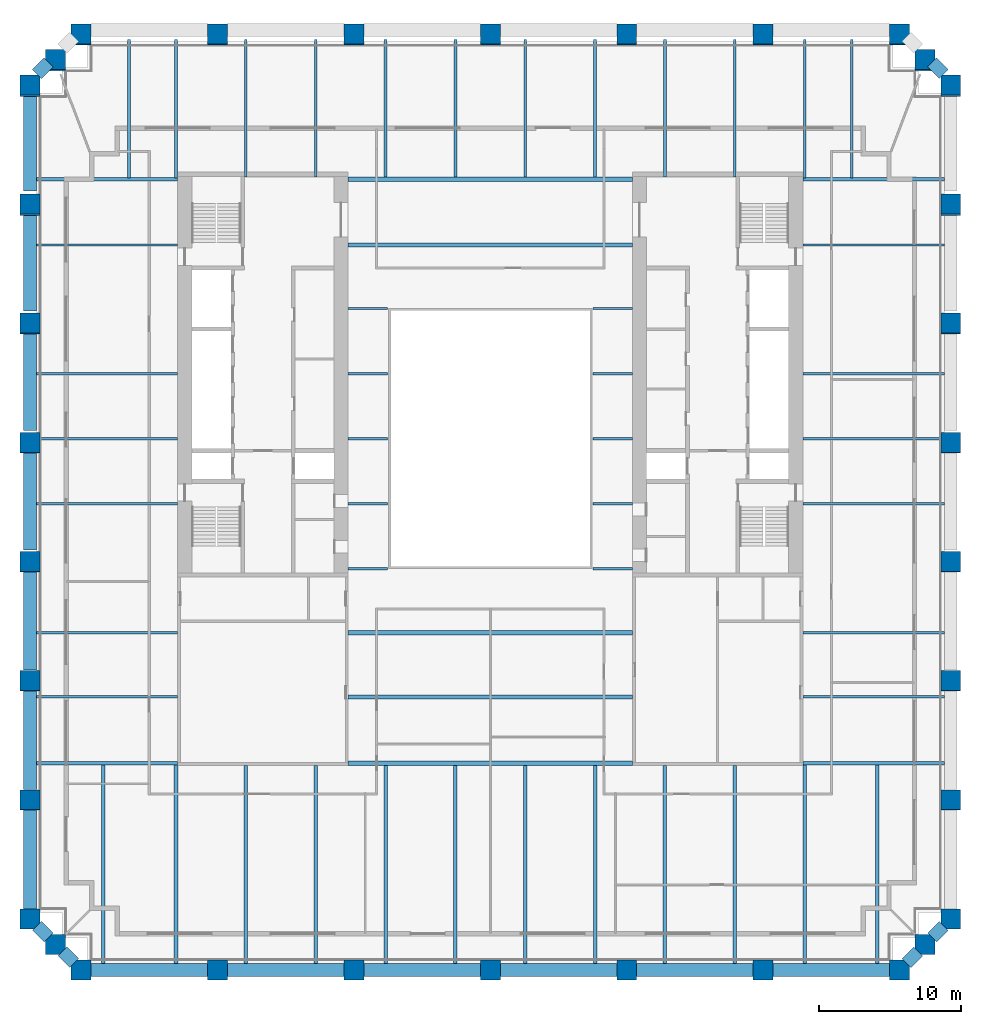
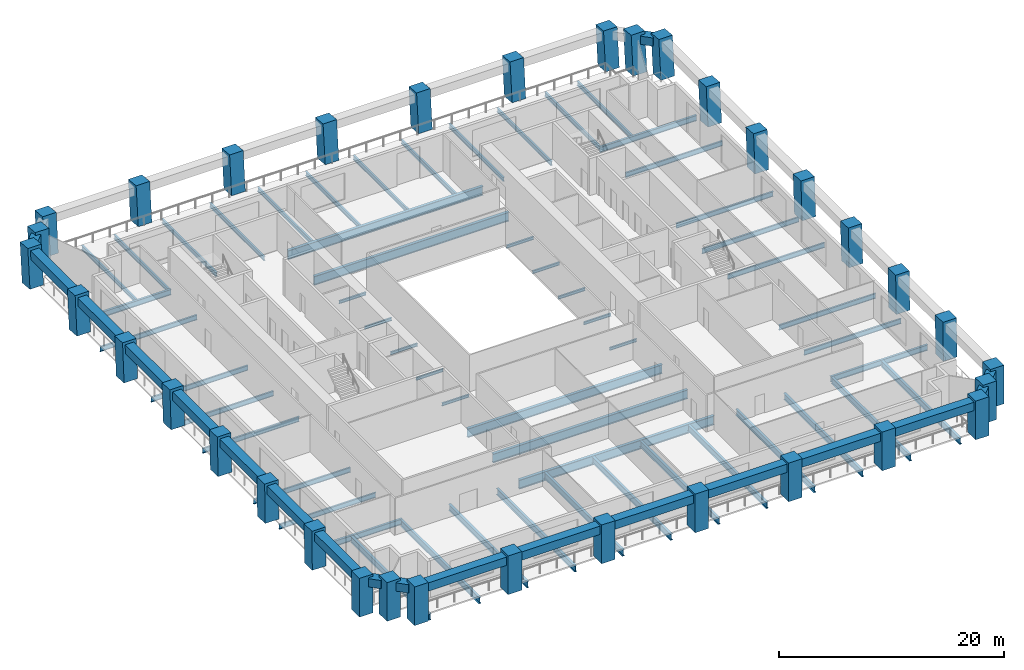
# One storey, part 1 of 8: 74 beams, 34 columns.
"""IFC4 building model written with IfcOpenShell, lengths in metres."""

from ifc_helpers import new_model, si_unit, direction, frame, origin, origin_2d, place, context, subcontext, project, spatial, rectangle, i_section, extrude, material, material_profile, profile_set, type_object, element, save


model = new_model("IFC4")

# Units and contexts
model_context = context("Model", 3, precision=1e-05, world=origin(), true_north=direction((0.0, 1.0)))
body_context = subcontext(model_context, "Body", "Model", "MODEL_VIEW")
ifc_project = project(units=[si_unit("LENGTHUNIT", "METRE"), si_unit("AREAUNIT", "SQUARE_METRE"), si_unit("VOLUMEUNIT", "CUBIC_METRE"), si_unit("PLANEANGLEUNIT", "RADIAN"), si_unit("MASSUNIT", "GRAM", prefix="KILO")], contexts=[model_context])

# Site, building, storey
site_placement = place(None, origin())
site = spatial("IfcSite", under=ifc_project, at=site_placement, CompositionType="ELEMENT")
building_placement = place(site_placement, origin())
building = spatial("IfcBuilding", under=site, at=building_placement, Name="Ogive Exchange Tower", CompositionType="ELEMENT")
storey_placement = place(building_placement, frame((0.0, 0.0, 77.39990234375)))
storey = spatial("IfcBuildingStorey", under=building, at=storey_placement, Name="L16", CompositionType="ELEMENT", Elevation=77.39990234375)

# Columns
ifc_material_1 = material(Name="Precast concrete C70/85 (limestone faced)", Category="masonry")
ifc_material_profile_1 = material_profile(ifc_material_1, rectangle(XDim=1.39990234375, YDim=1.39990234375, at=origin_2d()), Name="1400 x 1400")
ifc_profile_set_1 = profile_set([ifc_material_profile_1], Name="Precast concrete C70/85 (limestone faced)")
column_type = type_object("IfcColumnType", Name="Precast exoskeleton leg 1400 x 1400 C70/85", PredefinedType="COLUMN", material=ifc_profile_set_1)
for number, where, z_axis, x_axis, name in (
    (1, (-28.800048828125, -30.39990234375, 0.0), (0.0, 0.0, 1.0), (1.0, 0.0, 0.0), "Exoskeleton leg 1"),
    (2, (-19.199951171875, -30.39990234375, 0.0), (0.0, 0.0, 1.0), (1.0, 0.0, 0.0), "Exoskeleton leg 2"),
    (3, (-9.60009765625, -30.39990234375, 0.0), (0.0, 0.0, 1.0), (1.0, 0.0, 0.0), "Exoskeleton leg 3"),
    (4, (0.0, -30.39990234375, 0.0), (0.0, 0.0, 1.0), (1.0, 0.0, 0.0), "Exoskeleton leg 4"),
    (5, (9.60009765625, -30.39990234375, 0.0), (0.0, 0.0, 1.0), (1.0, 0.0, 0.0), "Exoskeleton leg 5"),
    (6, (19.199951171875, -30.39990234375, 0.0), (0.0, 0.0, 1.0), (1.0, 0.0, 0.0), "Exoskeleton leg 6"),
    (7, (28.800048828125, -30.39990234375, 0.0), (0.0, 0.0, 1.0), (1.0, 0.0, 0.0), "Exoskeleton leg 7"),
    (8, (32.39990234375, -26.800048828125, 0.0), (0.0, 0.0, 1.0), (1.0, 0.0, 0.0), "Exoskeleton leg 8"),
):
    element("IfcColumn", number, at=place(storey_placement, frame(where, z_axis=z_axis, x_axis=x_axis)), inside=storey, type_object=column_type, Name=name, PredefinedType="COLUMN", context=body_context, shape_type="SweptSolid", body=[
        extrude(rectangle(XDim=1.39990234375, YDim=1.39990234375, at=origin_2d()), origin(), (0.0, 0.0, 1.0), 4.2001953125),
    ])
column_1_placement = place(storey_placement, frame((32.39990234375, -18.43115234375, 0.0), z_axis=(0.0, 0.012961013053, 0.999916002543), x_axis=(-1.0, 0.0, 0.0)))
element("IfcColumn", 9, at=column_1_placement, inside=storey, type_object=column_type, Name="Exoskeleton leg 9", PredefinedType="COLUMN", context=body_context, shape_type="SweptSolid", body=[
    extrude(rectangle(XDim=1.39990234375, YDim=1.39990234375, at=origin_2d()), origin(), (0.0, 0.0, 1.0), 4.200439453125),
])
column_2_placement = place(storey_placement, frame((32.39990234375, -10.062255859375, 0.0), z_axis=(0.0, 0.025973564034, 0.999662630076), x_axis=(-1.0, 0.0, 0.0)))
element("IfcColumn", 10, at=column_2_placement, inside=storey, type_object=column_type, Name="Exoskeleton leg 10", PredefinedType="COLUMN", context=body_context, shape_type="SweptSolid", body=[
    extrude(rectangle(XDim=1.39990234375, YDim=1.39990234375, at=origin_2d()), origin(), (0.0, 0.0, 1.0), 4.20166015625),
])
column_3_placement = place(storey_placement, frame((32.39990234375, -1.693603515625, 0.0), z_axis=(0.0, 0.038972926012, 0.999240266922), x_axis=(-1.0, 0.0, 0.0)))
element("IfcColumn", 11, at=column_3_placement, inside=storey, type_object=column_type, Name="Exoskeleton leg 11", PredefinedType="COLUMN", context=body_context, shape_type="SweptSolid", body=[
    extrude(rectangle(XDim=1.39990234375, YDim=1.39990234375, at=origin_2d()), origin(), (0.0, 0.0, 1.0), 4.203369140625),
])
column_4_placement = place(storey_placement, frame((32.39990234375, 6.67529296875, 0.0), z_axis=(0.0, 0.051894640399, 0.998652565359), x_axis=(-1.0, 0.0, 0.0)))
element("IfcColumn", 12, at=column_4_placement, inside=storey, type_object=column_type, Name="Exoskeleton leg 12", PredefinedType="COLUMN", context=body_context, shape_type="SweptSolid", body=[
    extrude(rectangle(XDim=1.39990234375, YDim=1.39990234375, at=origin_2d()), origin(), (0.0, 0.0, 1.0), 4.205810546875),
])
column_5_placement = place(storey_placement, frame((32.39990234375, 15.044189453125, 0.0), z_axis=(0.0, 0.064790343495, 0.997898898381), x_axis=(-1.0, 0.0, 0.0)))
element("IfcColumn", 13, at=column_5_placement, inside=storey, type_object=column_type, Name="Exoskeleton leg 13", PredefinedType="COLUMN", context=body_context, shape_type="SweptSolid", body=[
    extrude(rectangle(XDim=1.39990234375, YDim=1.39990234375, at=origin_2d()), origin(), (0.0, 0.0, 1.0), 4.208984375),
])
column_6_placement = place(storey_placement, frame((32.39990234375, 23.4130859375, 0.0), z_axis=(0.0, 0.077653669439, 0.996980394804), x_axis=(-1.0, 0.0, 0.0)))
element("IfcColumn", 14, at=column_6_placement, inside=storey, type_object=column_type, Name="Exoskeleton leg 14", PredefinedType="COLUMN", context=body_context, shape_type="SweptSolid", body=[
    extrude(rectangle(XDim=1.39990234375, YDim=1.39990234375, at=origin_2d()), origin(), (0.0, 0.0, 1.0), 4.212890625),
])
for number, where, z_axis, x_axis, name in (
    (15, (32.39990234375, 31.78173828125, 0.0), (0.0, 0.090535746043, 0.995893206468), (-1.0, 0.0, 0.0), "Exoskeleton leg 15"),
    (16, (28.800048828125, 35.3818359375, 0.0), (0.0, 0.090535746043, 0.995893206468), (-1.0, 0.0, 0.0), "Exoskeleton leg 16"),
    (17, (19.199951171875, 35.3818359375, 0.0), (0.0, 0.090535746043, 0.995893206468), (-1.0, 0.0, 0.0), "Exoskeleton leg 17"),
    (18, (9.60009765625, 35.3818359375, 0.0), (0.0, 0.090535746043, 0.995893206468), (-1.0, 0.0, 0.0), "Exoskeleton leg 18"),
    (19, (0.0, 35.3818359375, 0.0), (0.0, 0.090535746043, 0.995893206468), (-1.0, 0.0, 0.0), "Exoskeleton leg 19"),
    (20, (-9.60009765625, 35.3818359375, 0.0), (0.0, 0.090535746043, 0.995893206468), (-1.0, 0.0, 0.0), "Exoskeleton leg 20"),
    (21, (-19.199951171875, 35.3818359375, 0.0), (0.0, 0.090535746043, 0.995893206468), (-1.0, 0.0, 0.0), "Exoskeleton leg 21"),
    (22, (-28.800048828125, 35.3818359375, 0.0), (0.0, 0.090535746043, 0.995893206468), (-1.0, 0.0, 0.0), "Exoskeleton leg 22"),
    (23, (-32.39990234375, 31.78173828125, 0.0), (0.0, 0.090535746043, 0.995893206468), (-1.0, 0.0, 0.0), "Exoskeleton leg 23"),
):
    element("IfcColumn", number, at=place(storey_placement, frame(where, z_axis=z_axis, x_axis=x_axis)), inside=storey, type_object=column_type, Name=name, PredefinedType="COLUMN", context=body_context, shape_type="SweptSolid", body=[
        extrude(rectangle(XDim=1.39990234375, YDim=1.39990234375, at=origin_2d()), origin(), (0.0, 0.0, 1.0), 4.217529296875),
    ])
column_7_placement = place(storey_placement, frame((-32.39990234375, 23.4130859375, 0.0), z_axis=(0.0, 0.077653669439, 0.996980394804), x_axis=(-1.0, 0.0, 0.0)))
element("IfcColumn", 24, at=column_7_placement, inside=storey, type_object=column_type, Name="Exoskeleton leg 24", PredefinedType="COLUMN", context=body_context, shape_type="SweptSolid", body=[
    extrude(rectangle(XDim=1.39990234375, YDim=1.39990234375, at=origin_2d()), origin(), (0.0, 0.0, 1.0), 4.212890625),
])
column_8_placement = place(storey_placement, frame((-32.39990234375, 15.044189453125, 0.0), z_axis=(0.0, 0.064790343495, 0.997898898381), x_axis=(-1.0, 0.0, 0.0)))
element("IfcColumn", 25, at=column_8_placement, inside=storey, type_object=column_type, Name="Exoskeleton leg 25", PredefinedType="COLUMN", context=body_context, shape_type="SweptSolid", body=[
    extrude(rectangle(XDim=1.39990234375, YDim=1.39990234375, at=origin_2d()), origin(), (0.0, 0.0, 1.0), 4.208984375),
])
column_9_placement = place(storey_placement, frame((-32.39990234375, 6.67529296875, 0.0), z_axis=(0.0, 0.051894640399, 0.998652565359), x_axis=(-1.0, 0.0, 0.0)))
element("IfcColumn", 26, at=column_9_placement, inside=storey, type_object=column_type, Name="Exoskeleton leg 26", PredefinedType="COLUMN", context=body_context, shape_type="SweptSolid", body=[
    extrude(rectangle(XDim=1.39990234375, YDim=1.39990234375, at=origin_2d()), origin(), (0.0, 0.0, 1.0), 4.205810546875),
])
column_10_placement = place(storey_placement, frame((-32.39990234375, -1.693603515625, 0.0), z_axis=(0.0, 0.038972926012, 0.999240266922), x_axis=(-1.0, 0.0, 0.0)))
element("IfcColumn", 27, at=column_10_placement, inside=storey, type_object=column_type, Name="Exoskeleton leg 27", PredefinedType="COLUMN", context=body_context, shape_type="SweptSolid", body=[
    extrude(rectangle(XDim=1.39990234375, YDim=1.39990234375, at=origin_2d()), origin(), (0.0, 0.0, 1.0), 4.203369140625),
])
column_11_placement = place(storey_placement, frame((-32.39990234375, -10.062255859375, 0.0), z_axis=(0.0, 0.025973564034, 0.999662630076), x_axis=(-1.0, 0.0, 0.0)))
element("IfcColumn", 28, at=column_11_placement, inside=storey, type_object=column_type, Name="Exoskeleton leg 28", PredefinedType="COLUMN", context=body_context, shape_type="SweptSolid", body=[
    extrude(rectangle(XDim=1.39990234375, YDim=1.39990234375, at=origin_2d()), origin(), (0.0, 0.0, 1.0), 4.20166015625),
])
column_12_placement = place(storey_placement, frame((-32.39990234375, -18.43115234375, 0.0), z_axis=(0.0, 0.012961013053, 0.999916002543), x_axis=(-1.0, 0.0, 0.0)))
element("IfcColumn", 29, at=column_12_placement, inside=storey, type_object=column_type, Name="Exoskeleton leg 29", PredefinedType="COLUMN", context=body_context, shape_type="SweptSolid", body=[
    extrude(rectangle(XDim=1.39990234375, YDim=1.39990234375, at=origin_2d()), origin(), (0.0, 0.0, 1.0), 4.200439453125),
])
for number, where, z_axis, x_axis, name in (
    (30, (-32.39990234375, -26.800048828125, 0.0), (0.0, 0.0, 1.0), (1.0, 0.0, 0.0), "Exoskeleton leg 30"),
    (31, (30.60009765625, -28.60009765625, 0.0), (0.0, 0.0, 1.0), (1.0, 0.0, 0.0), "Exoskeleton leg 31"),
):
    element("IfcColumn", number, at=place(storey_placement, frame(where, z_axis=z_axis, x_axis=x_axis)), inside=storey, type_object=column_type, Name=name, PredefinedType="COLUMN", context=body_context, shape_type="SweptSolid", body=[
        extrude(rectangle(XDim=1.39990234375, YDim=1.39990234375, at=origin_2d()), origin(), (0.0, 0.0, 1.0), 4.2001953125),
    ])
for number, where, z_axis, x_axis, name in (
    (32, (30.60009765625, 33.581787109375, 0.0), (0.0, 0.090535746043, 0.995893206468), (-1.0, 0.0, 0.0), "Exoskeleton leg 32"),
    (33, (-30.60009765625, 33.581787109375, 0.0), (0.0, 0.090535746043, 0.995893206468), (-1.0, 0.0, 0.0), "Exoskeleton leg 33"),
):
    element("IfcColumn", number, at=place(storey_placement, frame(where, z_axis=z_axis, x_axis=x_axis)), inside=storey, type_object=column_type, Name=name, PredefinedType="COLUMN", context=body_context, shape_type="SweptSolid", body=[
        extrude(rectangle(XDim=1.39990234375, YDim=1.39990234375, at=origin_2d()), origin(), (0.0, 0.0, 1.0), 4.217529296875),
    ])
column_13_placement = place(storey_placement, frame((-30.60009765625, -28.60009765625, 0.0), z_axis=(0.0, 0.0, 1.0), x_axis=(1.0, 0.0, 0.0)))
element("IfcColumn", 34, at=column_13_placement, inside=storey, type_object=column_type, Name="Exoskeleton leg 34", PredefinedType="COLUMN", context=body_context, shape_type="SweptSolid", body=[
    extrude(rectangle(XDim=1.39990234375, YDim=1.39990234375, at=origin_2d()), origin(), (0.0, 0.0, 1.0), 4.2001953125),
])

# Beams
ifc_material_2 = material(Name="Steel ASTM A992 Gr50", Category="steel")
ifc_material_profile_2 = material_profile(ifc_material_2, i_section(OverallWidth=0.300048828125, OverallDepth=0.969970703125, WebThickness=0.01611328125, FlangeThickness=0.02099609375, at=origin_2d()), Name="W1000x222")
ifc_profile_set_2 = profile_set([ifc_material_profile_2], Name="Steel ASTM A992 Gr50")
beam_type_1 = type_object("IfcBeamType", Name="Floor beam W1000x222", PredefinedType="JOIST", material=ifc_profile_set_2)
for number, where, z_axis, x_axis, name in (
    (35, (-10.0, -11.17822265625, -0.684814453125), (1.0, 0.0, 0.0), (0.0, 1.0, 0.0), "Floor beam"),
    (36, (-10.0, -6.666748046875, -0.684814453125), (1.0, 0.0, 0.0), (0.0, 1.0, 0.0), "Floor beam"),
    (37, (-10.0, 20.62255859375, -0.684814453125), (1.0, 0.0, 0.0), (0.0, 1.0, 0.0), "Floor beam"),
):
    element("IfcBeam", number, at=place(storey_placement, frame(where, z_axis=z_axis, x_axis=x_axis)), inside=storey, type_object=beam_type_1, Name=name, PredefinedType="JOIST", context=body_context, shape_type="SweptSolid", body=[
        extrude(i_section(OverallWidth=0.300048828125, OverallDepth=0.969970703125, WebThickness=0.01611328125, FlangeThickness=0.02099609375, at=origin_2d()), origin(), (0.0, 0.0, 1.0), 20.0),
    ])
ifc_material_profile_3 = material_profile(ifc_material_2, i_section(OverallWidth=0.1650390625, OverallDepth=0.31005859375, WebThickness=0.005859375, FlangeThickness=0.009765625, at=origin_2d()), Name="W310x38.7")
ifc_profile_set_3 = profile_set([ifc_material_profile_3], Name="Steel ASTM A992 Gr50")
beam_type_2 = type_object("IfcBeamType", Name="Floor beam W310x38.7", PredefinedType="JOIST", material=ifc_profile_set_3)
for number, where, z_axis, x_axis, name in (
    (38, (-10.0, 2.422607421875, -0.35498046875), (1.0, 0.0, 0.0), (0.0, 1.0, 0.0), "Floor beam"),
    (39, (7.219970703125, 2.422607421875, -0.35498046875), (1.0, 0.0, 0.0), (0.0, 1.0, 0.0), "Floor beam"),
    (40, (-10.0, 7.0, -0.35498046875), (1.0, 0.0, 0.0), (0.0, 1.0, 0.0), "Floor beam"),
    (41, (7.219970703125, 7.0, -0.35498046875), (1.0, 0.0, 0.0), (0.0, 1.0, 0.0), "Floor beam"),
    (42, (-10.0, 11.577392578125, -0.35498046875), (1.0, 0.0, 0.0), (0.0, 1.0, 0.0), "Floor beam"),
    (43, (7.219970703125, 11.577392578125, -0.35498046875), (1.0, 0.0, 0.0), (0.0, 1.0, 0.0), "Floor beam"),
):
    element("IfcBeam", number, at=place(storey_placement, frame(where, z_axis=z_axis, x_axis=x_axis)), inside=storey, type_object=beam_type_2, Name=name, PredefinedType="JOIST", context=body_context, shape_type="SweptSolid", body=[
        extrude(i_section(OverallWidth=0.1650390625, OverallDepth=0.31005859375, WebThickness=0.005859375, FlangeThickness=0.009765625, at=origin_2d()), origin(), (0.0, 0.0, 1.0), 2.780029296875),
    ])
ifc_material_profile_4 = material_profile(ifc_material_2, i_section(OverallWidth=0.19189453125, OverallDepth=0.4619140625, WebThickness=0.010498046875, FlangeThickness=0.017578125, at=origin_2d()), Name="W460x89")
ifc_profile_set_4 = profile_set([ifc_material_profile_4], Name="Steel ASTM A992 Gr50")
beam_type_3 = type_object("IfcBeamType", Name="Floor beam W460x89", PredefinedType="JOIST", material=ifc_profile_set_4)
for number, where, z_axis, x_axis, name in (
    (44, (-25.4345703125, 25.35888671875, -0.430908203125), (0.0, 1.0, 0.0), (-1.0, 0.0, 0.0), "Floor beam"),
    (45, (-22.119140625, 25.35888671875, -0.430908203125), (0.0, 1.0, 0.0), (-1.0, 0.0, 0.0), "Floor beam"),
):
    element("IfcBeam", number, at=place(storey_placement, frame(where, z_axis=z_axis, x_axis=x_axis)), inside=storey, type_object=beam_type_3, Name=name, PredefinedType="JOIST", context=body_context, shape_type="SweptSolid", body=[
        extrude(i_section(OverallWidth=0.19189453125, OverallDepth=0.4619140625, WebThickness=0.010498046875, FlangeThickness=0.017578125, at=origin_2d()), origin(), (0.0, 0.0, 1.0), 9.722900390625),
    ])
for number, where, z_axis, x_axis, name in (
    (46, (-17.203857421875, 25.39990234375, -0.430908203125), (0.0, 1.0, 0.0), (-1.0, 0.0, 0.0), "Floor beam"),
    (47, (-12.28857421875, 25.39990234375, -0.430908203125), (0.0, 1.0, 0.0), (-1.0, 0.0, 0.0), "Floor beam"),
):
    element("IfcBeam", number, at=place(storey_placement, frame(where, z_axis=z_axis, x_axis=x_axis)), inside=storey, type_object=beam_type_3, Name=name, PredefinedType="JOIST", context=body_context, shape_type="SweptSolid", body=[
        extrude(i_section(OverallWidth=0.19189453125, OverallDepth=0.4619140625, WebThickness=0.010498046875, FlangeThickness=0.017578125, at=origin_2d()), origin(), (0.0, 0.0, 1.0), 9.681884765625),
    ])
for number, where, z_axis, x_axis, name in (
    (48, (-7.373046875, 25.39501953125, -0.430908203125), (0.0, 1.0, 0.0), (-1.0, 0.0, 0.0), "Floor beam"),
    (49, (-2.457763671875, 25.39501953125, -0.430908203125), (0.0, 1.0, 0.0), (-1.0, 0.0, 0.0), "Floor beam"),
    (50, (2.457763671875, 25.39501953125, -0.430908203125), (0.0, 1.0, 0.0), (-1.0, 0.0, 0.0), "Floor beam"),
    (51, (7.373046875, 25.39501953125, -0.430908203125), (0.0, 1.0, 0.0), (-1.0, 0.0, 0.0), "Floor beam"),
):
    element("IfcBeam", number, at=place(storey_placement, frame(where, z_axis=z_axis, x_axis=x_axis)), inside=storey, type_object=beam_type_3, Name=name, PredefinedType="JOIST", context=body_context, shape_type="SweptSolid", body=[
        extrude(i_section(OverallWidth=0.19189453125, OverallDepth=0.4619140625, WebThickness=0.010498046875, FlangeThickness=0.017578125, at=origin_2d()), origin(), (0.0, 0.0, 1.0), 9.686767578125),
    ])
for number, where, z_axis, x_axis, name in (
    (52, (12.28857421875, 25.39990234375, -0.430908203125), (0.0, 1.0, 0.0), (-1.0, 0.0, 0.0), "Floor beam"),
    (53, (17.203857421875, 25.39990234375, -0.430908203125), (0.0, 1.0, 0.0), (-1.0, 0.0, 0.0), "Floor beam"),
):
    element("IfcBeam", number, at=place(storey_placement, frame(where, z_axis=z_axis, x_axis=x_axis)), inside=storey, type_object=beam_type_3, Name=name, PredefinedType="JOIST", context=body_context, shape_type="SweptSolid", body=[
        extrude(i_section(OverallWidth=0.19189453125, OverallDepth=0.4619140625, WebThickness=0.010498046875, FlangeThickness=0.017578125, at=origin_2d()), origin(), (0.0, 0.0, 1.0), 9.681884765625),
    ])
for number, where, z_axis, x_axis, name in (
    (54, (22.119140625, 25.35888671875, -0.430908203125), (0.0, 1.0, 0.0), (-1.0, 0.0, 0.0), "Floor beam"),
    (55, (25.4345703125, 25.35888671875, -0.430908203125), (0.0, 1.0, 0.0), (-1.0, 0.0, 0.0), "Floor beam"),
):
    element("IfcBeam", number, at=place(storey_placement, frame(where, z_axis=z_axis, x_axis=x_axis)), inside=storey, type_object=beam_type_3, Name=name, PredefinedType="JOIST", context=body_context, shape_type="SweptSolid", body=[
        extrude(i_section(OverallWidth=0.19189453125, OverallDepth=0.4619140625, WebThickness=0.010498046875, FlangeThickness=0.017578125, at=origin_2d()), origin(), (0.0, 0.0, 1.0), 9.722900390625),
    ])
ifc_material_profile_5 = material_profile(ifc_material_2, i_section(OverallWidth=0.1669921875, OverallDepth=0.535888671875, WebThickness=0.01025390625, FlangeThickness=0.0166015625, at=origin_2d()), Name="W530x85")
ifc_profile_set_5 = profile_set([ifc_material_profile_5], Name="Steel ASTM A992 Gr50")
beam_type_4 = type_object("IfcBeamType", Name="Floor beam W530x85", PredefinedType="JOIST", material=ifc_profile_set_5)
for number, where, z_axis, x_axis, name in (
    (56, (-31.949951171875, -11.17822265625, -0.468017578125), (1.0, 0.0, 0.0), (0.0, 1.0, 0.0), "Floor beam"),
    (57, (22.0, -11.17822265625, -0.468017578125), (1.0, 0.0, 0.0), (0.0, 1.0, 0.0), "Floor beam"),
    (58, (-31.949951171875, -6.666748046875, -0.468017578125), (1.0, 0.0, 0.0), (0.0, 1.0, 0.0), "Floor beam"),
    (59, (22.0, -6.666748046875, -0.468017578125), (1.0, 0.0, 0.0), (0.0, 1.0, 0.0), "Floor beam"),
    (60, (-31.949951171875, 2.422607421875, -0.468017578125), (1.0, 0.0, 0.0), (0.0, 1.0, 0.0), "Floor beam"),
    (61, (22.0, 2.422607421875, -0.468017578125), (1.0, 0.0, 0.0), (0.0, 1.0, 0.0), "Floor beam"),
    (62, (-31.949951171875, 7.0, -0.468017578125), (1.0, 0.0, 0.0), (0.0, 1.0, 0.0), "Floor beam"),
    (63, (22.0, 7.0, -0.468017578125), (1.0, 0.0, 0.0), (0.0, 1.0, 0.0), "Floor beam"),
    (64, (-31.949951171875, 11.577392578125, -0.468017578125), (1.0, 0.0, 0.0), (0.0, 1.0, 0.0), "Floor beam"),
    (65, (22.0, 11.577392578125, -0.468017578125), (1.0, 0.0, 0.0), (0.0, 1.0, 0.0), "Floor beam"),
    (66, (-31.949951171875, 20.62255859375, -0.468017578125), (1.0, 0.0, 0.0), (0.0, 1.0, 0.0), "Floor beam"),
    (67, (22.0, 20.62255859375, -0.468017578125), (1.0, 0.0, 0.0), (0.0, 1.0, 0.0), "Floor beam"),
):
    element("IfcBeam", number, at=place(storey_placement, frame(where, z_axis=z_axis, x_axis=x_axis)), inside=storey, type_object=beam_type_4, Name=name, PredefinedType="JOIST", context=body_context, shape_type="SweptSolid", body=[
        extrude(i_section(OverallWidth=0.1669921875, OverallDepth=0.535888671875, WebThickness=0.01025390625, FlangeThickness=0.0166015625, at=origin_2d()), origin(), (0.0, 0.0, 1.0), 9.949951171875),
    ])
ifc_material_profile_6 = material_profile(ifc_material_2, i_section(OverallWidth=0.25390625, OverallDepth=0.677978515625, WebThickness=0.01171875, FlangeThickness=0.016357421875, at=origin_2d()), Name="W690x125")
ifc_profile_set_6 = profile_set([ifc_material_profile_6], Name="Steel ASTM A992 Gr50")
beam_type_5 = type_object("IfcBeamType", Name="Floor beam W690x125", PredefinedType="JOIST", material=ifc_profile_set_6)
for number, where, z_axis, x_axis, name in (
    (68, (-27.234619140625, -29.949951171875, -0.538818359375), (0.0, 1.0, 0.0), (-1.0, 0.0, 0.0), "Floor beam"),
    (69, (-22.119140625, -29.949951171875, -0.538818359375), (0.0, 1.0, 0.0), (-1.0, 0.0, 0.0), "Floor beam"),
):
    element("IfcBeam", number, at=place(storey_placement, frame(where, z_axis=z_axis, x_axis=x_axis)), inside=storey, type_object=beam_type_5, Name=name, PredefinedType="JOIST", context=body_context, shape_type="SweptSolid", body=[
        extrude(i_section(OverallWidth=0.25390625, OverallDepth=0.677978515625, WebThickness=0.01171875, FlangeThickness=0.016357421875, at=origin_2d()), origin(), (0.0, 0.0, 1.0), 13.990966796875),
    ])
for number, where, z_axis, x_axis, name in (
    (70, (-17.203857421875, -29.949951171875, -0.538818359375), (0.0, 1.0, 0.0), (-1.0, 0.0, 0.0), "Floor beam"),
    (71, (-12.28857421875, -29.949951171875, -0.538818359375), (0.0, 1.0, 0.0), (-1.0, 0.0, 0.0), "Floor beam"),
):
    element("IfcBeam", number, at=place(storey_placement, frame(where, z_axis=z_axis, x_axis=x_axis)), inside=storey, type_object=beam_type_5, Name=name, PredefinedType="JOIST", context=body_context, shape_type="SweptSolid", body=[
        extrude(i_section(OverallWidth=0.25390625, OverallDepth=0.677978515625, WebThickness=0.01171875, FlangeThickness=0.016357421875, at=origin_2d()), origin(), (0.0, 0.0, 1.0), 13.949951171875),
    ])
for number, where, z_axis, x_axis, name in (
    (72, (-7.373046875, -29.949951171875, -0.538818359375), (0.0, 1.0, 0.0), (-1.0, 0.0, 0.0), "Floor beam"),
    (73, (-2.457763671875, -29.949951171875, -0.538818359375), (0.0, 1.0, 0.0), (-1.0, 0.0, 0.0), "Floor beam"),
    (74, (2.457763671875, -29.949951171875, -0.538818359375), (0.0, 1.0, 0.0), (-1.0, 0.0, 0.0), "Floor beam"),
    (75, (7.373046875, -29.949951171875, -0.538818359375), (0.0, 1.0, 0.0), (-1.0, 0.0, 0.0), "Floor beam"),
):
    element("IfcBeam", number, at=place(storey_placement, frame(where, z_axis=z_axis, x_axis=x_axis)), inside=storey, type_object=beam_type_5, Name=name, PredefinedType="JOIST", context=body_context, shape_type="SweptSolid", body=[
        extrude(i_section(OverallWidth=0.25390625, OverallDepth=0.677978515625, WebThickness=0.01171875, FlangeThickness=0.016357421875, at=origin_2d()), origin(), (0.0, 0.0, 1.0), 13.954833984375),
    ])
for number, where, z_axis, x_axis, name in (
    (76, (12.28857421875, -29.949951171875, -0.538818359375), (0.0, 1.0, 0.0), (-1.0, 0.0, 0.0), "Floor beam"),
    (77, (17.203857421875, -29.949951171875, -0.538818359375), (0.0, 1.0, 0.0), (-1.0, 0.0, 0.0), "Floor beam"),
):
    element("IfcBeam", number, at=place(storey_placement, frame(where, z_axis=z_axis, x_axis=x_axis)), inside=storey, type_object=beam_type_5, Name=name, PredefinedType="JOIST", context=body_context, shape_type="SweptSolid", body=[
        extrude(i_section(OverallWidth=0.25390625, OverallDepth=0.677978515625, WebThickness=0.01171875, FlangeThickness=0.016357421875, at=origin_2d()), origin(), (0.0, 0.0, 1.0), 13.949951171875),
    ])
for number, where, z_axis, x_axis, name in (
    (78, (22.119140625, -29.949951171875, -0.538818359375), (0.0, 1.0, 0.0), (-1.0, 0.0, 0.0), "Floor beam"),
    (79, (27.234619140625, -29.949951171875, -0.538818359375), (0.0, 1.0, 0.0), (-1.0, 0.0, 0.0), "Floor beam"),
):
    element("IfcBeam", number, at=place(storey_placement, frame(where, z_axis=z_axis, x_axis=x_axis)), inside=storey, type_object=beam_type_5, Name=name, PredefinedType="JOIST", context=body_context, shape_type="SweptSolid", body=[
        extrude(i_section(OverallWidth=0.25390625, OverallDepth=0.677978515625, WebThickness=0.01171875, FlangeThickness=0.016357421875, at=origin_2d()), origin(), (0.0, 0.0, 1.0), 13.990966796875),
    ])
ifc_material_profile_7 = material_profile(ifc_material_2, i_section(OverallWidth=0.300048828125, OverallDepth=0.97998046875, WebThickness=0.0166015625, FlangeThickness=0.026123046875, at=origin_2d()), Name="W1000x249")
ifc_profile_set_7 = profile_set([ifc_material_profile_7], Name="Steel ASTM A992 Gr50")
beam_type_6 = type_object("IfcBeamType", Name="Girder W1000x249", PredefinedType="BEAM", material=ifc_profile_set_7)
for number, where, z_axis, x_axis, name in (
    (80, (-10.0, -15.844970703125, -0.68994140625), (1.0, 0.0, 0.0), (0.0, 1.0, 0.0), "Header girder"),
    (81, (-10.0, 25.2451171875, -0.68994140625), (1.0, 0.0, 0.0), (0.0, 1.0, 0.0), "Header girder"),
):
    element("IfcBeam", number, at=place(storey_placement, frame(where, z_axis=z_axis, x_axis=x_axis)), inside=storey, type_object=beam_type_6, Name=name, PredefinedType="BEAM", context=body_context, shape_type="SweptSolid", body=[
        extrude(i_section(OverallWidth=0.300048828125, OverallDepth=0.97998046875, WebThickness=0.0166015625, FlangeThickness=0.026123046875, at=origin_2d()), origin(), (0.0, 0.0, 1.0), 20.0),
    ])
ifc_material_profile_8 = material_profile(ifc_material_2, i_section(OverallWidth=0.1650390625, OverallDepth=0.31005859375, WebThickness=0.005859375, FlangeThickness=0.009765625, at=origin_2d()), Name="W310x38.7")
ifc_profile_set_8 = profile_set([ifc_material_profile_8], Name="Steel ASTM A992 Gr50")
beam_type_7 = type_object("IfcBeamType", Name="Girder W310x38.7", PredefinedType="BEAM", material=ifc_profile_set_8)
for number, where, z_axis, x_axis, name in (
    (82, (-10.0, -2.155029296875, -0.35498046875), (1.0, 0.0, 0.0), (0.0, 1.0, 0.0), "Trimmer girder"),
    (83, (7.219970703125, -2.155029296875, -0.35498046875), (1.0, 0.0, 0.0), (0.0, 1.0, 0.0), "Trimmer girder"),
    (84, (-10.0, 16.155029296875, -0.35498046875), (1.0, 0.0, 0.0), (0.0, 1.0, 0.0), "Trimmer girder"),
    (85, (7.219970703125, 16.155029296875, -0.35498046875), (1.0, 0.0, 0.0), (0.0, 1.0, 0.0), "Trimmer girder"),
):
    element("IfcBeam", number, at=place(storey_placement, frame(where, z_axis=z_axis, x_axis=x_axis)), inside=storey, type_object=beam_type_7, Name=name, PredefinedType="BEAM", context=body_context, shape_type="SweptSolid", body=[
        extrude(i_section(OverallWidth=0.1650390625, OverallDepth=0.31005859375, WebThickness=0.005859375, FlangeThickness=0.009765625, at=origin_2d()), origin(), (0.0, 0.0, 1.0), 2.780029296875),
    ])
ifc_material_profile_9 = material_profile(ifc_material_2, i_section(OverallWidth=0.22802734375, OverallDepth=0.60205078125, WebThickness=0.010498046875, FlangeThickness=0.014892578125, at=origin_2d()), Name="W610x101")
ifc_profile_set_9 = profile_set([ifc_material_profile_9], Name="Steel ASTM A992 Gr50")
beam_type_8 = type_object("IfcBeamType", Name="Girder W610x101", PredefinedType="BEAM", material=ifc_profile_set_9)
for number, where, z_axis, x_axis, name in (
    (86, (-31.949951171875, -15.844970703125, -0.5009765625), (1.0, 0.0, 0.0), (0.0, 1.0, 0.0), "Header girder"),
    (87, (22.0, -15.844970703125, -0.5009765625), (1.0, 0.0, 0.0), (0.0, 1.0, 0.0), "Header girder"),
    (88, (-31.949951171875, 25.2451171875, -0.5009765625), (1.0, 0.0, 0.0), (0.0, 1.0, 0.0), "Header girder"),
    (89, (22.0, 25.2451171875, -0.5009765625), (1.0, 0.0, 0.0), (0.0, 1.0, 0.0), "Header girder"),
):
    element("IfcBeam", number, at=place(storey_placement, frame(where, z_axis=z_axis, x_axis=x_axis)), inside=storey, type_object=beam_type_8, Name=name, PredefinedType="BEAM", context=body_context, shape_type="SweptSolid", body=[
        extrude(i_section(OverallWidth=0.22802734375, OverallDepth=0.60205078125, WebThickness=0.010498046875, FlangeThickness=0.014892578125, at=origin_2d()), origin(), (0.0, 0.0, 1.0), 9.949951171875),
    ])
ifc_material_profile_10 = material_profile(ifc_material_1, rectangle(XDim=0.89990234375, YDim=0.89990234375, at=origin_2d()), Name="900 x 900")
ifc_profile_set_10 = profile_set([ifc_material_profile_10], Name="Precast concrete C70/85 (limestone faced)")
beam_type_9 = type_object("IfcBeamType", Name="Precast spandrel 900 x 900 C70/85", PredefinedType="SPANDREL", material=ifc_profile_set_10)
beam_1_placement = place(storey_placement, frame((-28.1201171875, -30.39990234375, 3.5), z_axis=(1.0, 0.0, 0.0), x_axis=(0.0, 1.0, 0.0)))
element("IfcBeam", 90, at=beam_1_placement, inside=storey, type_object=beam_type_9, Name="Spandrel 1", PredefinedType="SPANDREL", context=body_context, shape_type="SweptSolid", body=[
    extrude(rectangle(XDim=0.89990234375, YDim=0.89990234375, at=origin_2d()), origin(), (0.0, 0.0, 1.0), 8.240234375),
])
for number, where, z_axis, x_axis, name in (
    (91, (-18.52001953125, -30.39990234375, 3.5), (1.0, 0.0, 0.0), (0.0, 1.0, 0.0), "Spandrel 2"),
    (92, (-8.919921875, -30.39990234375, 3.5), (1.0, 0.0, 0.0), (0.0, 1.0, 0.0), "Spandrel 3"),
    (93, (0.679931640625, -30.39990234375, 3.5), (1.0, 0.0, 0.0), (0.0, 1.0, 0.0), "Spandrel 4"),
    (94, (10.280029296875, -30.39990234375, 3.5), (1.0, 0.0, 0.0), (0.0, 1.0, 0.0), "Spandrel 5"),
):
    element("IfcBeam", number, at=place(storey_placement, frame(where, z_axis=z_axis, x_axis=x_axis)), inside=storey, type_object=beam_type_9, Name=name, PredefinedType="SPANDREL", context=body_context, shape_type="SweptSolid", body=[
        extrude(rectangle(XDim=0.89990234375, YDim=0.89990234375, at=origin_2d()), origin(), (0.0, 0.0, 1.0), 8.239990234375),
    ])
beam_2_placement = place(storey_placement, frame((19.8798828125, -30.39990234375, 3.5), z_axis=(1.0, 0.0, 0.0), x_axis=(0.0, 1.0, 0.0)))
element("IfcBeam", 95, at=beam_2_placement, inside=storey, type_object=beam_type_9, Name="Spandrel 6", PredefinedType="SPANDREL", context=body_context, shape_type="SweptSolid", body=[
    extrude(rectangle(XDim=0.89990234375, YDim=0.89990234375, at=origin_2d()), origin(), (0.0, 0.0, 1.0), 8.240234375),
])
for number, where, z_axis, x_axis, name in (
    (96, (29.287841796875, -29.912109375, 3.5), (0.707106781187, 0.707106781187, 0.0), (-0.707106781187, 0.707106781187, 0.0), "Spandrel 7"),
    (97, (31.087890625, -28.112060546875, 3.5), (0.707106781187, 0.707106781187, 0.0), (-0.707106781187, 0.707106781187, 0.0), "Spandrel 8"),
    (98, (31.912109375, 32.651611328125, 3.5), (-0.707106781187, 0.707106781187, 0.0), (-0.707106781187, -0.707106781187, 0.0), "Spandrel 16"),
    (99, (-31.087890625, 33.475830078125, 3.5), (-0.707106781187, -0.707106781187, 0.0), (0.707106781187, -0.707106781187, 0.0), "Spandrel 25"),
):
    element("IfcBeam", number, at=place(storey_placement, frame(where, z_axis=z_axis, x_axis=x_axis)), inside=storey, type_object=beam_type_9, Name=name, PredefinedType="SPANDREL", context=body_context, shape_type="SweptSolid", body=[
        extrude(rectangle(XDim=0.89990234375, YDim=0.89990234375, at=origin_2d()), origin(), (0.0, 0.0, 1.0), 1.16552734375),
    ])
beam_3_placement = place(storey_placement, frame((-32.39990234375, 31.483642578125, 3.5), z_axis=(0.0, -1.0, 0.0), x_axis=(1.0, 0.0, 0.0)))
element("IfcBeam", 100, at=beam_3_placement, inside=storey, type_object=beam_type_9, Name="Spandrel 26", PredefinedType="SPANDREL", context=body_context, shape_type="SweptSolid", body=[
    extrude(rectangle(XDim=0.89990234375, YDim=0.89990234375, at=origin_2d()), origin(), (0.0, 0.0, 1.0), 7.063232421875),
])
for number, where, z_axis, x_axis, name in (
    (101, (-32.39990234375, 23.060302734375, 3.5), (0.0, -1.0, 0.0), (1.0, 0.0, 0.0), "Spandrel 27"),
    (102, (-32.39990234375, 14.636962890625, 3.5), (0.0, -1.0, 0.0), (1.0, 0.0, 0.0), "Spandrel 28"),
):
    element("IfcBeam", number, at=place(storey_placement, frame(where, z_axis=z_axis, x_axis=x_axis)), inside=storey, type_object=beam_type_9, Name=name, PredefinedType="SPANDREL", context=body_context, shape_type="SweptSolid", body=[
        extrude(rectangle(XDim=0.89990234375, YDim=0.89990234375, at=origin_2d()), origin(), (0.0, 0.0, 1.0), 7.0634765625),
    ])
for number, where, z_axis, x_axis, name in (
    (103, (-32.39990234375, 6.21337890625, 3.5), (0.0, -1.0, 0.0), (1.0, 0.0, 0.0), "Spandrel 29"),
    (104, (-32.39990234375, -2.2099609375, 3.5), (0.0, -1.0, 0.0), (1.0, 0.0, 0.0), "Spandrel 30"),
    (105, (-32.39990234375, -10.63330078125, 3.5), (0.0, -1.0, 0.0), (1.0, 0.0, 0.0), "Spandrel 31"),
):
    element("IfcBeam", number, at=place(storey_placement, frame(where, z_axis=z_axis, x_axis=x_axis)), inside=storey, type_object=beam_type_9, Name=name, PredefinedType="SPANDREL", context=body_context, shape_type="SweptSolid", body=[
        extrude(rectangle(XDim=0.89990234375, YDim=0.89990234375, at=origin_2d()), origin(), (0.0, 0.0, 1.0), 7.063232421875),
    ])
beam_4_placement = place(storey_placement, frame((-32.39990234375, -19.056640625, 3.5), z_axis=(0.0, -1.0, 0.0), x_axis=(1.0, 0.0, 0.0)))
element("IfcBeam", 106, at=beam_4_placement, inside=storey, type_object=beam_type_9, Name="Spandrel 32", PredefinedType="SPANDREL", context=body_context, shape_type="SweptSolid", body=[
    extrude(rectangle(XDim=0.89990234375, YDim=0.89990234375, at=origin_2d()), origin(), (0.0, 0.0, 1.0), 7.0634765625),
])
for number, where, z_axis, x_axis, name in (
    (107, (-31.912109375, -27.287841796875, 3.5), (0.707106781187, -0.707106781187, 0.0), (0.707106781187, 0.707106781187, 0.0), "Spandrel 33"),
    (108, (-30.112060546875, -29.087890625, 3.5), (0.707106781187, -0.707106781187, 0.0), (0.707106781187, 0.707106781187, 0.0), "Spandrel 34"),
):
    element("IfcBeam", number, at=place(storey_placement, frame(where, z_axis=z_axis, x_axis=x_axis)), inside=storey, type_object=beam_type_9, Name=name, PredefinedType="SPANDREL", context=body_context, shape_type="SweptSolid", body=[
        extrude(rectangle(XDim=0.89990234375, YDim=0.89990234375, at=origin_2d()), origin(), (0.0, 0.0, 1.0), 1.16552734375),
    ])

save(model, "model.ifc")
